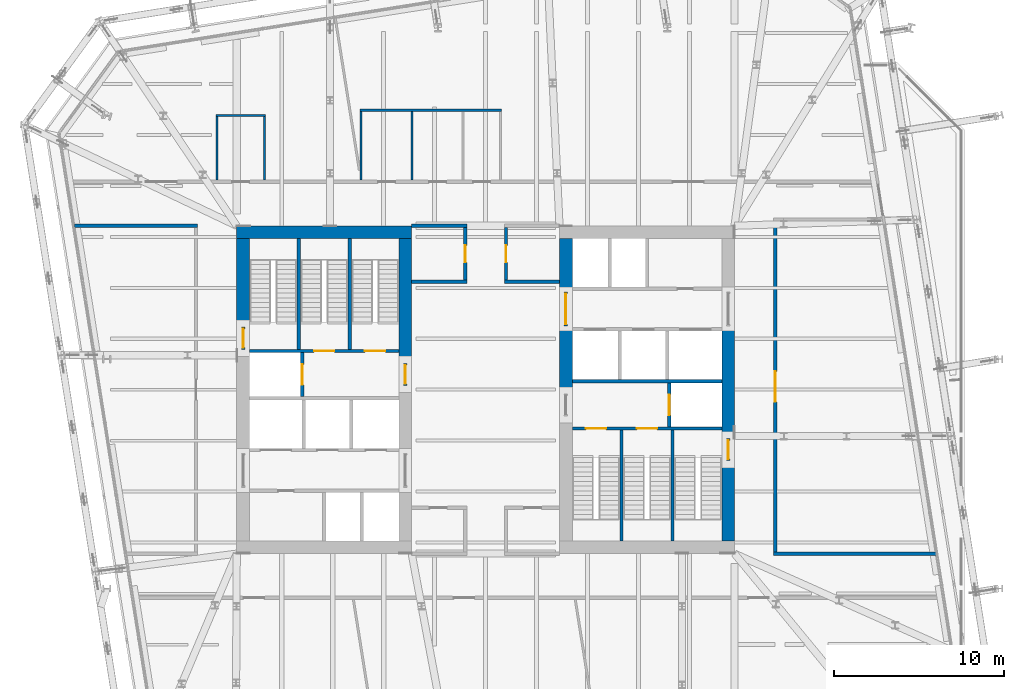
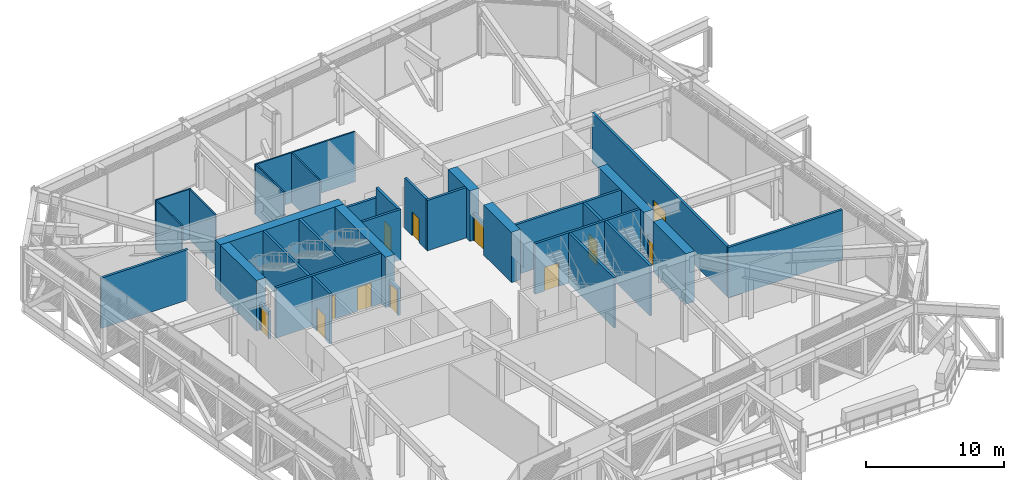
# One storey, part 20 of 32: 34 walls, 13 doors, 13 openings.
"""IFC4 building model written with IfcOpenShell, lengths in metres."""

from ifc_helpers import new_model, si_unit, direction, frame, frame_2d, origin, place, context, subcontext, project, spatial, rectangle, extrude, material, layer, layer_set, type_object, element, fill, save


model = new_model("IFC4")

# Units and contexts
model_context = context("Model", 3, precision=1e-05, world=origin(), true_north=direction((0.0, 1.0)))
body_context = subcontext(model_context, "Body", "Model", "MODEL_VIEW")
ifc_project = project(units=[si_unit("LENGTHUNIT", "METRE"), si_unit("AREAUNIT", "SQUARE_METRE"), si_unit("VOLUMEUNIT", "CUBIC_METRE"), si_unit("PLANEANGLEUNIT", "RADIAN"), si_unit("MASSUNIT", "GRAM", prefix="KILO")], contexts=[model_context])

# Site, building, storey
site_placement = place(None, origin())
site = spatial("IfcSite", under=ifc_project, at=site_placement, CompositionType="ELEMENT")
building_placement = place(site_placement, origin())
building = spatial("IfcBuilding", under=site, at=building_placement, Name="Millrace Tower", CompositionType="ELEMENT")
storey_placement = place(building_placement, frame((0.0, 0.0, 124.89990234375)))
storey = spatial("IfcBuildingStorey", under=building, at=storey_placement, Name="L27", CompositionType="ELEMENT", Elevation=124.89990234375)

# Walls
ifc_material_1 = material(Name="Concrete C70", Category="concrete")
ifc_layer_1 = layer(ifc_material_1, 0.75)
ifc_layer_set_1 = layer_set([ifc_layer_1], Name="Concrete C70")
wall_type_1 = type_object("IfcWallType", Name="Core wall 750 Concrete C70", PredefinedType="SHEAR", material=ifc_layer_set_1)
wall_1_placement = place(storey_placement, frame((-14.64990234375, 9.27490234375, 0.0), z_axis=(0.0, 0.0, 1.0), x_axis=(1.0, 0.0, 0.0)))
element("IfcWall", 1, at=wall_1_placement, inside=storey, type_object=wall_type_1, Name="Core wall W L27", PredefinedType="SHEAR", context=body_context, shape_type="SweptSolid", body=[
    extrude(rectangle(XDim=10.2998046875, YDim=0.75, at=frame_2d((5.14990234375, 0.0))), origin(), (0.0, 0.0, 1.0), 4.440185546875),
])
wall_2_placement = place(storey_placement, frame((-14.27490234375, 3.679931640625, 0.0), z_axis=(0.0, 0.0, 1.0), x_axis=(0.0, 1.0, 0.0)))
element("IfcWall", 2, at=wall_2_placement, inside=storey, type_object=wall_type_1, Name="Core wall W L27", PredefinedType="SHEAR", context=body_context, shape_type="SweptSolid", body=[
    extrude(rectangle(XDim=5.219970703125, YDim=0.75, at=frame_2d((2.60986328125, 0.0))), origin(), (0.0, 0.0, 1.0), 4.440185546875),
])
wall_3_placement = place(storey_placement, frame((-4.72509765625, 1.550048828125, 0.0), z_axis=(0.0, 0.0, 1.0), x_axis=(0.0, 1.0, 0.0)))
element("IfcWall", 3, at=wall_3_placement, inside=storey, type_object=wall_type_1, Name="Core wall W L27", PredefinedType="SHEAR", context=body_context, shape_type="SweptSolid", body=[
    extrude(rectangle(XDim=7.349853515625, YDim=0.75, at=frame_2d((3.6748046875, 0.0))), origin(), (0.0, 0.0, 1.0), 4.440185546875),
])
wall_4_placement = place(storey_placement, frame((14.27490234375, 3.75, 0.0), z_axis=(0.0, 0.0, 1.0), x_axis=(0.0, -1.0, 0.0)))
element("IfcWall", 4, at=wall_4_placement, inside=storey, type_object=wall_type_1, Name="Core wall E L27", PredefinedType="SHEAR", context=body_context, shape_type="SweptSolid", body=[
    extrude(rectangle(XDim=6.6298828125, YDim=0.75, at=frame_2d((3.31494140625, 0.0))), origin(), (0.0, 0.0, 1.0), 4.440185546875),
])
wall_5_placement = place(storey_placement, frame((14.27490234375, -4.179931640625, 0.0), z_axis=(0.0, 0.0, 1.0), x_axis=(0.0, -1.0, 0.0)))
element("IfcWall", 5, at=wall_5_placement, inside=storey, type_object=wall_type_1, Name="Core wall E L27", PredefinedType="SHEAR", context=body_context, shape_type="SweptSolid", body=[
    extrude(rectangle(XDim=4.719970703125, YDim=0.75, at=frame_2d((2.35986328125, 0.0))), origin(), (0.0, 0.0, 1.0), 4.440185546875),
])
wall_6_placement = place(storey_placement, frame((4.72509765625, 8.89990234375, 0.0), z_axis=(0.0, 0.0, 1.0), x_axis=(0.0, -1.0, 0.0)))
element("IfcWall", 6, at=wall_6_placement, inside=storey, type_object=wall_type_1, Name="Core wall E L27", PredefinedType="SHEAR", context=body_context, shape_type="SweptSolid", body=[
    extrude(rectangle(XDim=3.14990234375, YDim=0.75, at=frame_2d((1.574951171875, 0.0))), origin(), (0.0, 0.0, 1.0), 4.440185546875),
])
wall_7_placement = place(storey_placement, frame((4.72509765625, 3.75, 0.0), z_axis=(0.0, 0.0, 1.0), x_axis=(0.0, -1.0, 0.0)))
element("IfcWall", 7, at=wall_7_placement, inside=storey, type_object=wall_type_1, Name="Core wall E L27", PredefinedType="SHEAR", context=body_context, shape_type="SweptSolid", body=[
    extrude(rectangle(XDim=4.0, YDim=0.75, at=frame_2d((2.0, 0.0))), origin(), (0.0, 0.0, 1.0), 4.440185546875),
])
ifc_material_2 = material(Name="Masonry partition, fire-rated", Category="masonry")
ifc_layer_2 = layer(ifc_material_2, 0.199951171875)
ifc_layer_set_2 = layer_set([ifc_layer_2], Name="Masonry partition, fire-rated")
wall_type_2 = type_object("IfcWallType", Name="Corridor wall 200", PredefinedType="PARTITIONING", material=ifc_layer_set_2)
wall_8_placement = place(storey_placement, frame((16.949951171875, -9.64990234375, 0.0), z_axis=(0.0, 0.0, 1.0), x_axis=(1.0, 0.0, 0.0)))
element("IfcWall", 8, at=wall_8_placement, inside=storey, type_object=wall_type_2, Name="Corridor wall L27", PredefinedType="PARTITIONING", context=body_context, shape_type="SweptSolid", body=[
    extrude(rectangle(XDim=9.54638671875, YDim=0.199951171875, at=frame_2d((4.773193359375, 0.0))), origin(), (0.0, 0.0, 1.0), 4.440185546875),
])
for number, where, z_axis, x_axis, name in (
    (9, (-4.35009765625, 6.35009765625, 0.0), (0.0, 0.0, 1.0), (1.0, 0.0, 0.0), "Corridor wall L27"),
    (10, (1.10009765625, 6.35009765625, 0.0), (0.0, 0.0, 1.0), (1.0, 0.0, 0.0), "Corridor wall L27"),
):
    element("IfcWall", number, at=place(storey_placement, frame(where, z_axis=z_axis, x_axis=x_axis)), inside=storey, type_object=wall_type_2, Name=name, PredefinedType="PARTITIONING", context=body_context, shape_type="SweptSolid", body=[
        extrude(rectangle(XDim=3.25, YDim=0.199951171875, at=frame_2d((1.625, 0.0))), origin(), (0.0, 0.0, 1.0), 4.440185546875),
    ])
wall_9_placement = place(storey_placement, frame((-24.20703125, 9.64990234375, 0.0), z_axis=(0.0, 0.0, 1.0), x_axis=(1.0, 0.0, 0.0)))
element("IfcWall", 11, at=wall_9_placement, inside=storey, type_object=wall_type_2, Name="Corridor wall L27", PredefinedType="PARTITIONING", context=body_context, shape_type="SweptSolid", body=[
    extrude(rectangle(XDim=7.257080078125, YDim=0.199951171875, at=frame_2d((3.62841796875, 0.0))), origin(), (0.0, 0.0, 1.0), 4.440185546875),
])
wall_10_placement = place(storey_placement, frame((-4.35009765625, 9.64990234375, 0.0), z_axis=(0.0, 0.0, 1.0), x_axis=(1.0, 0.0, 0.0)))
element("IfcWall", 12, at=wall_10_placement, inside=storey, type_object=wall_type_2, Name="Corridor wall L27", PredefinedType="PARTITIONING", context=body_context, shape_type="SweptSolid", body=[
    extrude(rectangle(XDim=3.25, YDim=0.199951171875, at=frame_2d((1.625, 0.0))), origin(), (0.0, 0.0, 1.0), 3.512939453125),
])

# Wall, opening, door
wall_11_placement = place(storey_placement, frame((17.050048828125, -9.550048828125, 0.0), z_axis=(0.0, 0.0, 1.0), x_axis=(0.0, 1.0, 0.0)))
wall_11 = element("IfcWall", 13, at=wall_11_placement, inside=storey, type_object=wall_type_2, Name="Corridor wall L27", PredefinedType="PARTITIONING", context=body_context, shape_type="SweptSolid", body=[
    extrude(rectangle(XDim=19.469970703125, YDim=0.199951171875, at=frame_2d((9.73486328125, 0.0))), origin(), (0.0, 0.0, 1.0), 4.440185546875),
])
opening_1_placement = place(wall_11_placement, frame((8.8349609375, 0.0, 0.0)))
opening_1 = element("IfcOpeningElement", 14, at=opening_1_placement, cuts=wall_11, Name="Opening 27-P008", PredefinedType="OPENING", context=body_context, shape_type="SweptSolid", body=[
    extrude(rectangle(XDim=1.800048828125, YDim=2.10009765625, at=frame_2d((0.89990234375, 1.050048828125))), frame((0.0, 0.10986328125, 0.0), z_axis=(0.0, -1.0, 0.0), x_axis=(1.0, 0.0, 0.0)), (0.0, 0.0, 1.0), 0.219970703125),
])
ifc_material_3 = material(Name="Steel door set, fire-rated", Category="steel")
door_type_1 = type_object("IfcDoorType", Name="Corridor door 1800 x 2100", OperationType="DOUBLE_DOOR_SINGLE_SWING", PredefinedType="DOOR", material=ifc_material_3)
door_1_placement = place(opening_1_placement, origin())
door_1 = element("IfcDoor", 15, at=door_1_placement, inside=storey, type_object=door_type_1, Name="Door 27-P008", OperationType="DOUBLE_DOOR_SINGLE_SWING", OverallHeight=2.10009765625, OverallWidth=1.800048828125, PredefinedType="DOOR", context=body_context, shape_type="SweptSolid", body=[
    extrude(rectangle(XDim=1.800048828125, YDim=2.10009765625, at=frame_2d((0.89990234375, 1.050048828125))), frame((0.0, 0.02490234375, 0.0), z_axis=(0.0, -1.0, 0.0), x_axis=(1.0, 0.0, 0.0)), (0.0, 0.0, 1.0), 0.050048828125),
])
fill(opening_1, door_1)

wall_12_placement = place(storey_placement, frame((1.199951171875, 6.449951171875, 0.0), z_axis=(0.0, 0.0, 1.0), x_axis=(0.0, 1.0, 0.0)))
wall_12 = element("IfcWall", 16, at=wall_12_placement, inside=storey, type_object=wall_type_2, Name="Corridor wall L27", PredefinedType="PARTITIONING", context=body_context, shape_type="SweptSolid", body=[
    extrude(rectangle(XDim=3.10009765625, YDim=0.199951171875, at=frame_2d((1.550048828125, 0.0))), origin(), (0.0, 0.0, 1.0), 4.440185546875),
])
opening_2_placement = place(wall_12_placement, frame((1.050048828125, 0.0, 0.0)))
opening_2 = element("IfcOpeningElement", 17, at=opening_2_placement, cuts=wall_12, Name="Opening 27-P002", PredefinedType="OPENING", context=body_context, shape_type="SweptSolid", body=[
    extrude(rectangle(XDim=1.0, YDim=2.10009765625, at=frame_2d((0.5, 1.050048828125))), frame((0.0, 0.10986328125, 0.0), z_axis=(0.0, -1.0, 0.0), x_axis=(1.0, 0.0, 0.0)), (0.0, 0.0, 1.0), 0.219970703125),
])
ifc_material_4 = material(Name="Steel door set, fire-rated", Category="steel")
door_type_2 = type_object("IfcDoorType", Name="Corridor door 1000 x 2100", OperationType="SINGLE_SWING_LEFT", PredefinedType="DOOR", material=ifc_material_4)
door_2_placement = place(opening_2_placement, frame((1.0, 0.0, 0.0), z_axis=(0.0, 0.0, 1.0), x_axis=(-1.0, 0.0, 0.0)))
door_2 = element("IfcDoor", 18, at=door_2_placement, inside=storey, type_object=door_type_2, Name="Door 27-P002", OperationType="SINGLE_SWING_RIGHT", OverallHeight=2.10009765625, OverallWidth=1.0, PredefinedType="DOOR", context=body_context, shape_type="SweptSolid", body=[
    extrude(rectangle(XDim=1.0, YDim=2.10009765625, at=frame_2d((0.5, 1.050048828125))), frame((0.0, 0.02490234375, 0.0), z_axis=(0.0, -1.0, 0.0), x_axis=(1.0, 0.0, 0.0)), (0.0, 0.0, 1.0), 0.050048828125),
])
fill(opening_2, door_2)

wall_13_placement = place(storey_placement, frame((-1.199951171875, 6.449951171875, 0.0), z_axis=(0.0, 0.0, 1.0), x_axis=(0.0, 1.0, 0.0)))
wall_13 = element("IfcWall", 19, at=wall_13_placement, inside=storey, type_object=wall_type_2, Name="Corridor wall L27", PredefinedType="PARTITIONING", context=body_context, shape_type="SweptSolid", body=[
    extrude(rectangle(XDim=3.10009765625, YDim=0.199951171875, at=frame_2d((1.550048828125, 0.0))), origin(), (0.0, 0.0, 1.0), 4.440185546875),
])
opening_3_placement = place(wall_13_placement, frame((1.050048828125, 0.0, 0.0)))
opening_3 = element("IfcOpeningElement", 20, at=opening_3_placement, cuts=wall_13, Name="Opening 27-P001", PredefinedType="OPENING", context=body_context, shape_type="SweptSolid", body=[
    extrude(rectangle(XDim=1.0, YDim=2.10009765625, at=frame_2d((0.5, 1.050048828125))), frame((0.0, 0.10986328125, 0.0), z_axis=(0.0, -1.0, 0.0), x_axis=(1.0, 0.0, 0.0)), (0.0, 0.0, 1.0), 0.219970703125),
])
door_3_placement = place(opening_3_placement, origin())
door_3 = element("IfcDoor", 21, at=door_3_placement, inside=storey, type_object=door_type_2, Name="Door 27-P001", OperationType="SINGLE_SWING_LEFT", OverallHeight=2.10009765625, OverallWidth=1.0, PredefinedType="DOOR", context=body_context, shape_type="SweptSolid", body=[
    extrude(rectangle(XDim=1.0, YDim=2.10009765625, at=frame_2d((0.5, 1.050048828125))), frame((0.0, 0.02490234375, 0.0), z_axis=(0.0, -1.0, 0.0), x_axis=(1.0, 0.0, 0.0)), (0.0, 0.0, 1.0), 0.050048828125),
])
fill(opening_3, door_3)

ifc_material_5 = material(Name="Masonry partition, fire-rated", Category="masonry")
ifc_layer_3 = layer(ifc_material_5, 0.199951171875)
ifc_layer_set_3 = layer_set([ifc_layer_3], Name="Masonry partition, fire-rated")
wall_type_3 = type_object("IfcWallType", Name="Lift shaft wall 200", PredefinedType="PARTITIONING", material=ifc_layer_set_3)
wall_14_placement = place(storey_placement, frame((-10.800048828125, -0.39990234375, 0.0), z_axis=(0.0, 0.0, 1.0), x_axis=(0.0, 1.0, 0.0)))
wall_14 = element("IfcWall", 22, at=wall_14_placement, inside=storey, type_object=wall_type_3, Name="Lift shaft wall W L27", PredefinedType="PARTITIONING", context=body_context, shape_type="SweptSolid", body=[
    extrude(rectangle(XDim=2.579833984375, YDim=0.199951171875, at=frame_2d((1.2900390625, 0.0))), origin(), (0.0, 0.0, 1.0), 4.440185546875),
])
opening_4_placement = place(wall_14_placement, frame((0.68994140625, 0.0, 0.0)))
opening_4 = element("IfcOpeningElement", 23, at=opening_4_placement, cuts=wall_14, Name="Opening 27-LD08", PredefinedType="OPENING", context=body_context, shape_type="SweptSolid", body=[
    extrude(rectangle(XDim=1.199951171875, YDim=2.10009765625, at=frame_2d((0.60009765625, 1.050048828125))), frame((0.0, 0.10986328125, 0.0), z_axis=(0.0, -1.0, 0.0), x_axis=(1.0, 0.0, 0.0)), (0.0, 0.0, 1.0), 0.219970703125),
])
ifc_material_6 = material(Name="Stainless steel, fire-rated", Category="steel")
door_type_3 = type_object("IfcDoorType", Name="Lift landing door 1200 x 2100", OperationType="DOUBLE_DOOR_SLIDING", PredefinedType="DOOR", material=ifc_material_6)
door_4_placement = place(opening_4_placement, origin())
door_4 = element("IfcDoor", 24, at=door_4_placement, inside=storey, type_object=door_type_3, Name="Lift landing door LF8 L27", OperationType="DOUBLE_DOOR_SLIDING", OverallHeight=2.10009765625, OverallWidth=1.199951171875, PredefinedType="DOOR", context=body_context, shape_type="SweptSolid", body=[
    extrude(rectangle(XDim=1.199951171875, YDim=2.10009765625, at=frame_2d((0.60009765625, 1.050048828125))), frame((0.0, 0.02490234375, 0.0), z_axis=(0.0, -1.0, 0.0), x_axis=(1.0, 0.0, 0.0)), (0.0, 0.0, 1.0), 0.050048828125),
])
fill(opening_4, door_4)

# Wall
wall_15_placement = place(storey_placement, frame((13.89990234375, 0.5, 0.0), z_axis=(0.0, 0.0, 1.0), x_axis=(-1.0, 0.0, 0.0)))
element("IfcWall", 25, at=wall_15_placement, inside=storey, type_object=wall_type_3, Name="Lift shaft wall E L27", PredefinedType="PARTITIONING", context=body_context, shape_type="SweptSolid", body=[
    extrude(rectangle(XDim=8.7998046875, YDim=0.199951171875, at=frame_2d((4.39990234375, 0.0))), origin(), (0.0, 0.0, 1.0), 4.440185546875),
])

# Wall, opening, door
wall_16_placement = place(storey_placement, frame((10.800048828125, 0.39990234375, 0.0), z_axis=(0.0, 0.0, 1.0), x_axis=(0.0, -1.0, 0.0)))
wall_16 = element("IfcWall", 26, at=wall_16_placement, inside=storey, type_object=wall_type_3, Name="Lift shaft wall E L27", PredefinedType="PARTITIONING", context=body_context, shape_type="SweptSolid", body=[
    extrude(rectangle(XDim=2.579833984375, YDim=0.199951171875, at=frame_2d((1.2900390625, 0.0))), origin(), (0.0, 0.0, 1.0), 4.440185546875),
])
opening_5_placement = place(wall_16_placement, frame((0.68994140625, 0.0, 0.0)))
opening_5 = element("IfcOpeningElement", 27, at=opening_5_placement, cuts=wall_16, Name="Opening 27-LD16", PredefinedType="OPENING", context=body_context, shape_type="SweptSolid", body=[
    extrude(rectangle(XDim=1.199951171875, YDim=2.10009765625, at=frame_2d((0.60009765625, 1.050048828125))), frame((0.0, 0.10986328125, 0.0), z_axis=(0.0, -1.0, 0.0), x_axis=(1.0, 0.0, 0.0)), (0.0, 0.0, 1.0), 0.219970703125),
])
door_5_placement = place(opening_5_placement, origin())
door_5 = element("IfcDoor", 28, at=door_5_placement, inside=storey, type_object=door_type_3, Name="Lift landing door LF16 L27", OperationType="DOUBLE_DOOR_SLIDING", OverallHeight=2.10009765625, OverallWidth=1.199951171875, PredefinedType="DOOR", context=body_context, shape_type="SweptSolid", body=[
    extrude(rectangle(XDim=1.199951171875, YDim=2.10009765625, at=frame_2d((0.60009765625, 1.050048828125))), frame((0.0, 0.02490234375, 0.0), z_axis=(0.0, -1.0, 0.0), x_axis=(1.0, 0.0, 0.0)), (0.0, 0.0, 1.0), 0.050048828125),
])
fill(opening_5, door_5)

ifc_material_7 = material(Name="Masonry partition, fire-rated", Category="masonry")
ifc_layer_4 = layer(ifc_material_7, 0.199951171875)
ifc_layer_set_4 = layer_set([ifc_layer_4], Name="Masonry partition, fire-rated")
wall_type_4 = type_object("IfcWallType", Name="Lobby wall 200", PredefinedType="PARTITIONING", material=ifc_layer_set_4)
wall_17_placement = place(storey_placement, frame((-4.72509765625, 0.25, 0.0), z_axis=(0.0, 0.0, 1.0), x_axis=(0.0, 1.0, 0.0)))
wall_17 = element("IfcWall", 29, at=wall_17_placement, inside=storey, type_object=wall_type_4, Name="Lobby wall W L27", PredefinedType="PARTITIONING", context=body_context, shape_type="SweptSolid", body=[
    extrude(rectangle(XDim=1.300048828125, YDim=0.199951171875, at=frame_2d((0.64990234375, 0.0))), origin(), (0.0, 0.0, 1.0), 2.400146484375),
])
opening_6_placement = place(wall_17_placement, frame((0.10009765625, 0.0, 0.0)))
opening_6 = element("IfcOpeningElement", 30, at=opening_6_placement, cuts=wall_17, Name="Opening 27-C004", PredefinedType="OPENING", context=body_context, shape_type="SweptSolid", body=[
    extrude(rectangle(XDim=1.10009765625, YDim=2.10009765625, at=frame_2d((0.550048828125, 1.050048828125))), frame((0.0, 0.10986328125, 0.0), z_axis=(0.0, -1.0, 0.0), x_axis=(1.0, 0.0, 0.0)), (0.0, 0.0, 1.0), 0.219970703125),
])
ifc_material_8 = material(Name="Steel door, fire-rated", Category="steel")
door_type_4 = type_object("IfcDoorType", Name="Lobby door 1100 x 2100", OperationType="SINGLE_SWING_LEFT", PredefinedType="DOOR", material=ifc_material_8)
door_6_placement = place(opening_6_placement, origin())
door_6 = element("IfcDoor", 31, at=door_6_placement, inside=storey, type_object=door_type_4, Name="Lobby door 27-C004", OperationType="SINGLE_SWING_RIGHT", OverallHeight=2.10009765625, OverallWidth=1.10009765625, PredefinedType="DOOR", context=body_context, shape_type="SweptSolid", body=[
    extrude(rectangle(XDim=1.10009765625, YDim=2.10009765625, at=frame_2d((0.550048828125, 1.050048828125))), frame((0.0, 0.02490234375, 0.0), z_axis=(0.0, -1.0, 0.0), x_axis=(1.0, 0.0, 0.0)), (0.0, 0.0, 1.0), 0.050048828125),
])
fill(opening_6, door_6)

wall_18_placement = place(storey_placement, frame((4.72509765625, 5.75, 0.0), z_axis=(0.0, 0.0, 1.0), x_axis=(0.0, -1.0, 0.0)))
wall_18 = element("IfcWall", 32, at=wall_18_placement, inside=storey, type_object=wall_type_4, Name="Lobby wall E L27", PredefinedType="PARTITIONING", context=body_context, shape_type="SweptSolid", body=[
    extrude(rectangle(XDim=2.0, YDim=0.199951171875, at=frame_2d((1.0, 0.0))), origin(), (0.0, 0.0, 1.0), 2.400146484375),
])
opening_7_placement = place(wall_18_placement, frame((0.10009765625, 0.0, 0.0)))
opening_7 = element("IfcOpeningElement", 33, at=opening_7_placement, cuts=wall_18, Name="Opening 27-C010", PredefinedType="OPENING", context=body_context, shape_type="SweptSolid", body=[
    extrude(rectangle(XDim=1.800048828125, YDim=2.10009765625, at=frame_2d((0.89990234375, 1.050048828125))), frame((0.0, 0.10986328125, 0.0), z_axis=(0.0, -1.0, 0.0), x_axis=(1.0, 0.0, 0.0)), (0.0, 0.0, 1.0), 0.219970703125),
])
ifc_material_9 = material(Name="Steel door, fire-rated", Category="steel")
door_type_5 = type_object("IfcDoorType", Name="Lobby door 1800 x 2100", OperationType="DOUBLE_DOOR_SINGLE_SWING", PredefinedType="DOOR", material=ifc_material_9)
door_7_placement = place(opening_7_placement, origin())
door_7 = element("IfcDoor", 34, at=door_7_placement, inside=storey, type_object=door_type_5, Name="Lobby door 27-C010", OperationType="DOUBLE_DOOR_SINGLE_SWING", OverallHeight=2.10009765625, OverallWidth=1.800048828125, PredefinedType="DOOR", context=body_context, shape_type="SweptSolid", body=[
    extrude(rectangle(XDim=1.800048828125, YDim=2.10009765625, at=frame_2d((0.89990234375, 1.050048828125))), frame((0.0, 0.02490234375, 0.0), z_axis=(0.0, -1.0, 0.0), x_axis=(1.0, 0.0, 0.0)), (0.0, 0.0, 1.0), 0.050048828125),
])
fill(opening_7, door_7)

# Walls
ifc_material_10 = material(Name="Gypsum board partition")
ifc_layer_5 = layer(ifc_material_10, 0.1201171875)
ifc_layer_set_5 = layer_set([ifc_layer_5], Name="Gypsum board partition")
wall_type_5 = type_object("IfcWallType", Name="Partition wall 120", PredefinedType="PARTITIONING", material=ifc_layer_set_5)
wall_19_placement = place(storey_placement, frame((-15.8779296875, 16.14990234375, 0.0), z_axis=(0.0, 0.0, 1.0), x_axis=(1.0, 0.0, 0.0)))
element("IfcWall", 35, at=wall_19_placement, inside=storey, type_object=wall_type_5, Name="Partition wall L27", PredefinedType="PARTITIONING", context=body_context, shape_type="SweptSolid", body=[
    extrude(rectangle(XDim=2.919921875, YDim=0.1201171875, at=frame_2d((1.4599609375, 0.0))), origin(), (0.0, 0.0, 1.0), 4.440185546875),
])
wall_20_placement = place(storey_placement, frame((-7.385986328125, 16.449951171875, 0.0), z_axis=(0.0, 0.0, 1.0), x_axis=(1.0, 0.0, 0.0)))
element("IfcWall", 36, at=wall_20_placement, inside=storey, type_object=wall_type_5, Name="Partition wall L27", PredefinedType="PARTITIONING", context=body_context, shape_type="SweptSolid", body=[
    extrude(rectangle(XDim=8.320068359375, YDim=0.1201171875, at=frame_2d((4.16015625, 0.0))), origin(), (0.0, 0.0, 1.0), 4.440185546875),
])
for number, where, z_axis, x_axis, name in (
    (37, (-4.325927734375, 12.35009765625, 0.0), (0.0, 0.0, 1.0), (0.0, 1.0, 0.0), "Partition wall L27"),
    (38, (-7.325927734375, 12.35009765625, 0.0), (0.0, 0.0, 1.0), (0.0, 1.0, 0.0), "Partition wall L27"),
):
    element("IfcWall", number, at=place(storey_placement, frame(where, z_axis=z_axis, x_axis=x_axis)), inside=storey, type_object=wall_type_5, Name=name, PredefinedType="PARTITIONING", context=body_context, shape_type="SweptSolid", body=[
        extrude(rectangle(XDim=4.039794921875, YDim=0.1201171875, at=frame_2d((2.02001953125, 0.0))), origin(), (0.0, 0.0, 1.0), 4.440185546875),
    ])
for number, where, z_axis, x_axis, name in (
    (39, (-13.01806640625, 12.35009765625, 0.0), (0.0, 0.0, 1.0), (0.0, 1.0, 0.0), "Partition wall L27"),
    (40, (-15.818115234375, 12.35009765625, 0.0), (0.0, 0.0, 1.0), (0.0, 1.0, 0.0), "Partition wall L27"),
):
    element("IfcWall", number, at=place(storey_placement, frame(where, z_axis=z_axis, x_axis=x_axis)), inside=storey, type_object=wall_type_5, Name=name, PredefinedType="PARTITIONING", context=body_context, shape_type="SweptSolid", body=[
        extrude(rectangle(XDim=3.739990234375, YDim=0.1201171875, at=frame_2d((1.8701171875, 0.0))), origin(), (0.0, 0.0, 1.0), 4.440185546875),
    ])

# Wall, opening, door
ifc_material_11 = material(Name="Concrete C40", Category="concrete")
ifc_layer_6 = layer(ifc_material_11, 0.199951171875)
ifc_layer_set_6 = layer_set([ifc_layer_6], Name="Concrete C40")
wall_type_6 = type_object("IfcWallType", Name="Stair enclosure wall 200 Concrete C40", PredefinedType="SHEAR", material=ifc_layer_set_6)
wall_21_placement = place(storey_placement, frame((-14.27490234375, 2.3798828125, 0.0), z_axis=(0.0, 0.0, 1.0), x_axis=(0.0, 1.0, 0.0)))
wall_21 = element("IfcWall", 41, at=wall_21_placement, inside=storey, type_object=wall_type_6, Name="Stair enclosure wall W L27", PredefinedType="SHEAR", context=body_context, shape_type="SweptSolid", body=[
    extrude(rectangle(XDim=1.300048828125, YDim=0.199951171875, at=frame_2d((0.64990234375, 0.0))), origin(), (0.0, 0.0, 1.0), 2.400146484375),
])
opening_8_placement = place(wall_21_placement, frame((0.10009765625, 0.0, 0.0)))
opening_8 = element("IfcOpeningElement", 42, at=opening_8_placement, cuts=wall_21, Name="Opening 27-C002", PredefinedType="OPENING", context=body_context, shape_type="SweptSolid", body=[
    extrude(rectangle(XDim=1.10009765625, YDim=2.10009765625, at=frame_2d((0.550048828125, 1.050048828125))), frame((0.0, 0.10986328125, 0.0), z_axis=(0.0, -1.0, 0.0), x_axis=(1.0, 0.0, 0.0)), (0.0, 0.0, 1.0), 0.219970703125),
])
ifc_material_12 = material(Name="Steel door, fire-rated", Category="steel")
door_type_6 = type_object("IfcDoorType", Name="Stair door 1100 x 2100", OperationType="SINGLE_SWING_LEFT", PredefinedType="DOOR", material=ifc_material_12)
door_8_placement = place(opening_8_placement, origin())
door_8 = element("IfcDoor", 43, at=door_8_placement, inside=storey, type_object=door_type_6, Name="Stair door 27-C002", OperationType="SINGLE_SWING_RIGHT", OverallHeight=2.10009765625, OverallWidth=1.10009765625, PredefinedType="DOOR", context=body_context, shape_type="SweptSolid", body=[
    extrude(rectangle(XDim=1.10009765625, YDim=2.10009765625, at=frame_2d((0.550048828125, 1.050048828125))), frame((0.0, 0.02490234375, 0.0), z_axis=(0.0, -1.0, 0.0), x_axis=(1.0, 0.0, 0.0)), (0.0, 0.0, 1.0), 0.050048828125),
])
fill(opening_8, door_8)

# Wall, openings, doors
wall_22_placement = place(storey_placement, frame((-13.89990234375, 2.280029296875, 0.0), z_axis=(0.0, 0.0, 1.0), x_axis=(1.0, 0.0, 0.0)))
wall_22 = element("IfcWall", 44, at=wall_22_placement, inside=storey, type_object=wall_type_6, Name="Stair enclosure wall W L27", PredefinedType="SHEAR", context=body_context, shape_type="SweptSolid", body=[
    extrude(rectangle(XDim=8.7998046875, YDim=0.199951171875, at=frame_2d((4.39990234375, 0.0))), origin(), (0.0, 0.0, 1.0), 4.440185546875),
])
opening_9_placement = place(wall_22_placement, frame((3.800048828125, 0.0, 0.0)))
opening_9 = element("IfcOpeningElement", 45, at=opening_9_placement, cuts=wall_22, Name="Opening 27-C006", PredefinedType="OPENING", context=body_context, shape_type="SweptSolid", body=[
    extrude(rectangle(XDim=1.199951171875, YDim=2.10009765625, at=frame_2d((0.60009765625, 1.050048828125))), frame((0.0, 0.10986328125, 0.0), z_axis=(0.0, -1.0, 0.0), x_axis=(1.0, 0.0, 0.0)), (0.0, 0.0, 1.0), 0.219970703125),
])
opening_10_placement = place(wall_22_placement, frame((6.800048828125, 0.0, 0.0)))
opening_10 = element("IfcOpeningElement", 46, at=opening_10_placement, cuts=wall_22, Name="Opening 27-C007", PredefinedType="OPENING", context=body_context, shape_type="SweptSolid", body=[
    extrude(rectangle(XDim=1.199951171875, YDim=2.10009765625, at=frame_2d((0.60009765625, 1.050048828125))), frame((0.0, 0.10986328125, 0.0), z_axis=(0.0, -1.0, 0.0), x_axis=(1.0, 0.0, 0.0)), (0.0, 0.0, 1.0), 0.219970703125),
])
ifc_material_13 = material(Name="Steel door, fire-rated", Category="steel")
door_type_7 = type_object("IfcDoorType", Name="Stair door 1200 x 2100", OperationType="SINGLE_SWING_LEFT", PredefinedType="DOOR", material=ifc_material_13)
door_9_placement = place(opening_9_placement, frame((1.199951171875, 0.0, 0.0), z_axis=(0.0, 0.0, 1.0), x_axis=(-1.0, 0.0, 0.0)))
door_9 = element("IfcDoor", 47, at=door_9_placement, inside=storey, type_object=door_type_7, Name="Stair door 27-C006", OperationType="SINGLE_SWING_LEFT", OverallHeight=2.10009765625, OverallWidth=1.199951171875, PredefinedType="DOOR", context=body_context, shape_type="SweptSolid", body=[
    extrude(rectangle(XDim=1.199951171875, YDim=2.10009765625, at=frame_2d((0.60009765625, 1.050048828125))), frame((0.0, 0.02490234375, 0.0), z_axis=(0.0, -1.0, 0.0), x_axis=(1.0, 0.0, 0.0)), (0.0, 0.0, 1.0), 0.050048828125),
])
fill(opening_9, door_9)
door_10_placement = place(opening_10_placement, frame((1.199951171875, 0.0, 0.0), z_axis=(0.0, 0.0, 1.0), x_axis=(-1.0, 0.0, 0.0)))
door_10 = element("IfcDoor", 48, at=door_10_placement, inside=storey, type_object=door_type_7, Name="Stair door 27-C007", OperationType="SINGLE_SWING_LEFT", OverallHeight=2.10009765625, OverallWidth=1.199951171875, PredefinedType="DOOR", context=body_context, shape_type="SweptSolid", body=[
    extrude(rectangle(XDim=1.199951171875, YDim=2.10009765625, at=frame_2d((0.60009765625, 1.050048828125))), frame((0.0, 0.02490234375, 0.0), z_axis=(0.0, -1.0, 0.0), x_axis=(1.0, 0.0, 0.0)), (0.0, 0.0, 1.0), 0.050048828125),
])
fill(opening_10, door_10)

# Walls
for number, where, z_axis, x_axis, name in (
    (49, (-11.0, 2.3798828125, 0.0), (0.0, 0.0, 1.0), (0.0, 1.0, 0.0), "Stair enclosure wall W L27"),
    (50, (-8.0, 2.3798828125, 0.0), (0.0, 0.0, 1.0), (0.0, 1.0, 0.0), "Stair enclosure wall W L27"),
):
    element("IfcWall", number, at=place(storey_placement, frame(where, z_axis=z_axis, x_axis=x_axis)), inside=storey, type_object=wall_type_6, Name=name, PredefinedType="SHEAR", context=body_context, shape_type="SweptSolid", body=[
        extrude(rectangle(XDim=6.52001953125, YDim=0.199951171875, at=frame_2d((3.260009765625, 0.0))), origin(), (0.0, 0.0, 1.0), 4.440185546875),
    ])

# Wall, opening, door
wall_23_placement = place(storey_placement, frame((14.27490234375, -2.8798828125, 0.0), z_axis=(0.0, 0.0, 1.0), x_axis=(0.0, -1.0, 0.0)))
wall_23 = element("IfcWall", 51, at=wall_23_placement, inside=storey, type_object=wall_type_6, Name="Stair enclosure wall E L27", PredefinedType="SHEAR", context=body_context, shape_type="SweptSolid", body=[
    extrude(rectangle(XDim=1.300048828125, YDim=0.199951171875, at=frame_2d((0.64990234375, 0.0))), origin(), (0.0, 0.0, 1.0), 2.400146484375),
])
opening_11_placement = place(wall_23_placement, frame((0.10009765625, 0.0, 0.0)))
opening_11 = element("IfcOpeningElement", 52, at=opening_11_placement, cuts=wall_23, Name="Opening 27-C009", PredefinedType="OPENING", context=body_context, shape_type="SweptSolid", body=[
    extrude(rectangle(XDim=1.10009765625, YDim=2.10009765625, at=frame_2d((0.550048828125, 1.050048828125))), frame((0.0, 0.10986328125, 0.0), z_axis=(0.0, -1.0, 0.0), x_axis=(1.0, 0.0, 0.0)), (0.0, 0.0, 1.0), 0.219970703125),
])
door_11_placement = place(opening_11_placement, origin())
door_11 = element("IfcDoor", 53, at=door_11_placement, inside=storey, type_object=door_type_6, Name="Stair door 27-C009", OperationType="SINGLE_SWING_RIGHT", OverallHeight=2.10009765625, OverallWidth=1.10009765625, PredefinedType="DOOR", context=body_context, shape_type="SweptSolid", body=[
    extrude(rectangle(XDim=1.10009765625, YDim=2.10009765625, at=frame_2d((0.550048828125, 1.050048828125))), frame((0.0, 0.02490234375, 0.0), z_axis=(0.0, -1.0, 0.0), x_axis=(1.0, 0.0, 0.0)), (0.0, 0.0, 1.0), 0.050048828125),
])
fill(opening_11, door_11)

# Wall, openings, doors
wall_24_placement = place(storey_placement, frame((13.89990234375, -2.280029296875, 0.0), z_axis=(0.0, 0.0, 1.0), x_axis=(-1.0, 0.0, 0.0)))
wall_24 = element("IfcWall", 54, at=wall_24_placement, inside=storey, type_object=wall_type_6, Name="Stair enclosure wall E L27", PredefinedType="SHEAR", context=body_context, shape_type="SweptSolid", body=[
    extrude(rectangle(XDim=8.7998046875, YDim=0.199951171875, at=frame_2d((4.39990234375, 0.0))), origin(), (0.0, 0.0, 1.0), 4.440185546875),
])
opening_12_placement = place(wall_24_placement, frame((3.800048828125, 0.0, 0.0)))
opening_12 = element("IfcOpeningElement", 55, at=opening_12_placement, cuts=wall_24, Name="Opening 27-C013", PredefinedType="OPENING", context=body_context, shape_type="SweptSolid", body=[
    extrude(rectangle(XDim=1.199951171875, YDim=2.10009765625, at=frame_2d((0.60009765625, 1.050048828125))), frame((0.0, 0.10986328125, 0.0), z_axis=(0.0, -1.0, 0.0), x_axis=(1.0, 0.0, 0.0)), (0.0, 0.0, 1.0), 0.219970703125),
])
opening_13_placement = place(wall_24_placement, frame((6.800048828125, 0.0, 0.0)))
opening_13 = element("IfcOpeningElement", 56, at=opening_13_placement, cuts=wall_24, Name="Opening 27-C014", PredefinedType="OPENING", context=body_context, shape_type="SweptSolid", body=[
    extrude(rectangle(XDim=1.199951171875, YDim=2.10009765625, at=frame_2d((0.60009765625, 1.050048828125))), frame((0.0, 0.10986328125, 0.0), z_axis=(0.0, -1.0, 0.0), x_axis=(1.0, 0.0, 0.0)), (0.0, 0.0, 1.0), 0.219970703125),
])
door_12_placement = place(opening_12_placement, frame((1.199951171875, 0.0, 0.0), z_axis=(0.0, 0.0, 1.0), x_axis=(-1.0, 0.0, 0.0)))
door_12 = element("IfcDoor", 57, at=door_12_placement, inside=storey, type_object=door_type_7, Name="Stair door 27-C013", OperationType="SINGLE_SWING_LEFT", OverallHeight=2.10009765625, OverallWidth=1.199951171875, PredefinedType="DOOR", context=body_context, shape_type="SweptSolid", body=[
    extrude(rectangle(XDim=1.199951171875, YDim=2.10009765625, at=frame_2d((0.60009765625, 1.050048828125))), frame((0.0, 0.02490234375, 0.0), z_axis=(0.0, -1.0, 0.0), x_axis=(1.0, 0.0, 0.0)), (0.0, 0.0, 1.0), 0.050048828125),
])
fill(opening_12, door_12)
door_13_placement = place(opening_13_placement, frame((1.199951171875, 0.0, 0.0), z_axis=(0.0, 0.0, 1.0), x_axis=(-1.0, 0.0, 0.0)))
door_13 = element("IfcDoor", 58, at=door_13_placement, inside=storey, type_object=door_type_7, Name="Stair door 27-C014", OperationType="SINGLE_SWING_LEFT", OverallHeight=2.10009765625, OverallWidth=1.199951171875, PredefinedType="DOOR", context=body_context, shape_type="SweptSolid", body=[
    extrude(rectangle(XDim=1.199951171875, YDim=2.10009765625, at=frame_2d((0.60009765625, 1.050048828125))), frame((0.0, 0.02490234375, 0.0), z_axis=(0.0, -1.0, 0.0), x_axis=(1.0, 0.0, 0.0)), (0.0, 0.0, 1.0), 0.050048828125),
])
fill(opening_13, door_13)

# Walls
for number, where, z_axis, x_axis, name in (
    (59, (11.0, -2.3798828125, 0.0), (0.0, 0.0, 1.0), (0.0, -1.0, 0.0), "Stair enclosure wall E L27"),
    (60, (8.0, -2.3798828125, 0.0), (0.0, 0.0, 1.0), (0.0, -1.0, 0.0), "Stair enclosure wall E L27"),
):
    element("IfcWall", number, at=place(storey_placement, frame(where, z_axis=z_axis, x_axis=x_axis)), inside=storey, type_object=wall_type_6, Name=name, PredefinedType="SHEAR", context=body_context, shape_type="SweptSolid", body=[
        extrude(rectangle(XDim=6.52001953125, YDim=0.199951171875, at=frame_2d((3.260009765625, 0.0))), origin(), (0.0, 0.0, 1.0), 4.440185546875),
    ])

save(model, "model.ifc")
